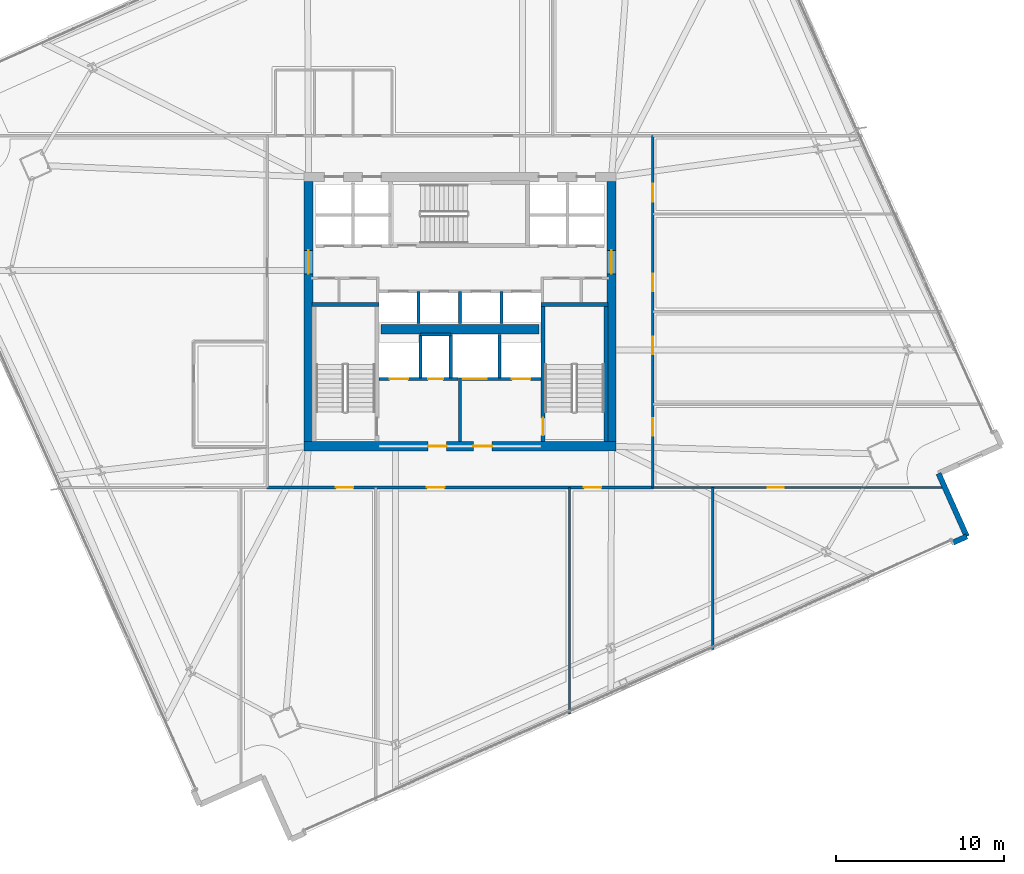
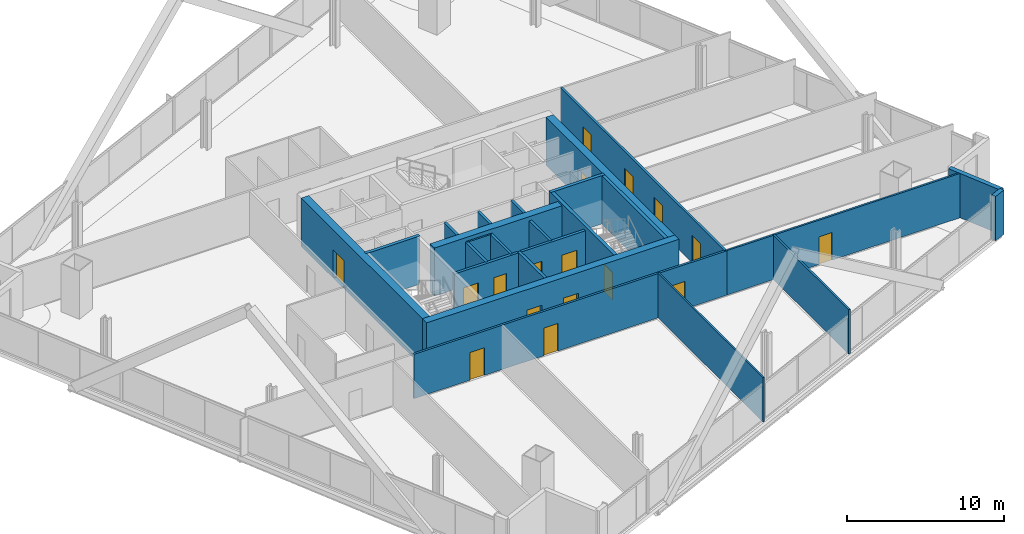
# One storey, part 29 of 38: 25 walls, 17 doors, 17 openings.
"""IFC4 building model written with IfcOpenShell, lengths in metres."""

from ifc_helpers import new_model, si_unit, direction, frame, frame_2d, origin, place, context, subcontext, project, spatial, rectangle, extrude, material, layer, layer_set, type_object, element, fill, save


model = new_model("IFC4")

# Units and contexts
model_context = context("Model", 3, precision=1e-05, world=origin(), true_north=direction((0.0, 1.0)))
body_context = subcontext(model_context, "Body", "Model", "MODEL_VIEW")
ifc_project = project(units=[si_unit("LENGTHUNIT", "METRE"), si_unit("AREAUNIT", "SQUARE_METRE"), si_unit("VOLUMEUNIT", "CUBIC_METRE"), si_unit("PLANEANGLEUNIT", "RADIAN"), si_unit("MASSUNIT", "GRAM", prefix="KILO")], contexts=[model_context])

# Site, building, storey
site_placement = place(None, origin())
site = spatial("IfcSite", under=ifc_project, at=site_placement, CompositionType="ELEMENT")
building_placement = place(site_placement, origin())
building = spatial("IfcBuilding", under=site, at=building_placement, Name="Haldenkirk Collegiate Tower", CompositionType="ELEMENT")
storey_placement = place(building_placement, frame((0.0, 0.0, 109.199951171875)))
storey = spatial("IfcBuildingStorey", under=building, at=storey_placement, Name="L26", CompositionType="ELEMENT", Elevation=109.199951171875)

# Wall, openings, doors
ifc_material_1 = material(Name="Concrete f'c 70 MPa", Category="concrete")
ifc_layer_1 = layer(ifc_material_1, 0.550048828125)
ifc_layer_set_1 = layer_set([ifc_layer_1], Name="Concrete f'c 70 MPa")
wall_type_1 = type_object("IfcWallType", Name="WL-CORE-550", PredefinedType="SHEAR", material=ifc_layer_set_1)
wall_1_placement = place(storey_placement, frame((26.72509765625, 18.0, 0.0), z_axis=(0.0, 0.0, 1.0), x_axis=(1.0, 0.0, 0.0)))
wall_1 = element("IfcWall", 1, at=wall_1_placement, inside=storey, type_object=wall_type_1, Name="L26 central core shear wall S", PredefinedType="SHEAR", context=body_context, shape_type="SweptSolid", body=[
    extrude(rectangle(XDim=18.5498046875, YDim=0.550048828125, at=frame_2d((9.27490234375, 0.0))), origin(), (0.0, 0.0, 1.0), 3.75),
])
opening_1_placement = place(wall_1_placement, frame((7.375, 0.0, 0.0)))
opening_1 = element("IfcOpeningElement", 2, at=opening_1_placement, cuts=wall_1, Name="Opening D-02", PredefinedType="OPENING", context=body_context, shape_type="SweptSolid", body=[
    extrude(rectangle(XDim=1.10009765625, YDim=2.14990234375, at=frame_2d((0.550048828125, 1.074951171875))), frame((0.0, 0.284912109375, 0.0), z_axis=(0.0, -1.0, 0.0), x_axis=(1.0, 0.0, 0.0)), (0.0, 0.0, 1.0), 0.570068359375),
])
opening_2_placement = place(wall_1_placement, frame((10.074951171875, 0.0, 0.0)))
opening_2 = element("IfcOpeningElement", 3, at=opening_2_placement, cuts=wall_1, Name="Opening D-02", PredefinedType="OPENING", context=body_context, shape_type="SweptSolid", body=[
    extrude(rectangle(XDim=1.10009765625, YDim=2.14990234375, at=frame_2d((0.550048828125, 1.074951171875))), frame((0.0, 0.284912109375, 0.0), z_axis=(0.0, -1.0, 0.0), x_axis=(1.0, 0.0, 0.0)), (0.0, 0.0, 1.0), 0.570068359375),
])
ifc_material_2 = material(Name="Galvanized fire-rated hollow steel door", Category="steel")
ifc_layer_2 = layer(ifc_material_2, 0.06005859375)
ifc_layer_set_2 = layer_set([ifc_layer_2], Name="Galvanized fire-rated hollow steel door")
door_type_1 = type_object("IfcDoorType", Name="DR-STAIR-FD90-1100", OperationType="NOTDEFINED", PredefinedType="DOOR", material=ifc_layer_set_2)
door_1_placement = place(opening_1_placement, origin())
door_1 = element("IfcDoor", 4, at=door_1_placement, inside=storey, type_object=door_type_1, Name="L26 Firefighting Lobby 1 door", OperationType="SINGLE_SWING_LEFT", OverallHeight=2.14990234375, OverallWidth=1.10009765625, PredefinedType="DOOR", context=body_context, shape_type="SweptSolid", body=[
    extrude(rectangle(XDim=1.10009765625, YDim=2.14990234375, at=frame_2d((0.550048828125, 1.074951171875))), frame((0.0, 0.02490234375, 0.0), z_axis=(0.0, -1.0, 0.0), x_axis=(1.0, 0.0, 0.0)), (0.0, 0.0, 1.0), 0.050048828125),
])
fill(opening_1, door_1)
door_2_placement = place(opening_2_placement, origin())
door_2 = element("IfcDoor", 5, at=door_2_placement, inside=storey, type_object=door_type_1, Name="L26 Firefighting Lobby 2 door", OperationType="SINGLE_SWING_RIGHT", OverallHeight=2.14990234375, OverallWidth=1.10009765625, PredefinedType="DOOR", context=body_context, shape_type="SweptSolid", body=[
    extrude(rectangle(XDim=1.10009765625, YDim=2.14990234375, at=frame_2d((0.550048828125, 1.074951171875))), frame((0.0, 0.02490234375, 0.0), z_axis=(0.0, -1.0, 0.0), x_axis=(1.0, 0.0, 0.0)), (0.0, 0.0, 1.0), 0.050048828125),
])
fill(opening_2, door_2)

# Wall, opening, door
wall_2_placement = place(storey_placement, frame((27.0, 18.27490234375, 0.0), z_axis=(0.0, 0.0, 1.0), x_axis=(0.0, 1.0, 0.0)))
wall_2 = element("IfcWall", 6, at=wall_2_placement, inside=storey, type_object=wall_type_1, Name="L26 central core shear wall W", PredefinedType="SHEAR", context=body_context, shape_type="SweptSolid", body=[
    extrude(rectangle(XDim=15.4501953125, YDim=0.550048828125, at=frame_2d((7.72509765625, 0.0))), origin(), (0.0, 0.0, 1.0), 3.75),
])
opening_3_placement = place(wall_2_placement, frame((9.965087890625, 0.0, 0.0)))
opening_3 = element("IfcOpeningElement", 7, at=opening_3_placement, cuts=wall_2, Name="Opening D-03", PredefinedType="OPENING", context=body_context, shape_type="SweptSolid", body=[
    extrude(rectangle(XDim=1.39990234375, YDim=2.199951171875, at=frame_2d((0.699951171875, 1.10009765625))), frame((0.0, 0.284912109375, 0.0), z_axis=(0.0, -1.0, 0.0), x_axis=(1.0, 0.0, 0.0)), (0.0, 0.0, 1.0), 0.570068359375),
])
ifc_layer_3 = layer(ifc_material_2, 0.06005859375)
ifc_layer_set_3 = layer_set([ifc_layer_3], Name="Galvanized fire-rated hollow steel door")
door_type_2 = type_object("IfcDoorType", Name="DR-LOBBY-FD90-1400", OperationType="NOTDEFINED", PredefinedType="DOOR", material=ifc_layer_set_3)
door_3_placement = place(opening_3_placement, origin())
door_3 = element("IfcDoor", 8, at=door_3_placement, inside=storey, type_object=door_type_2, Name="L26 west lift lobby portal", OperationType="DOUBLE_DOOR_SINGLE_SWING", OverallHeight=2.199951171875, OverallWidth=1.39990234375, PredefinedType="DOOR", context=body_context, shape_type="SweptSolid", body=[
    extrude(rectangle(XDim=1.39990234375, YDim=2.199951171875, at=frame_2d((0.699951171875, 1.10009765625))), frame((0.0, 0.02490234375, 0.0), z_axis=(0.0, -1.0, 0.0), x_axis=(1.0, 0.0, 0.0)), (0.0, 0.0, 1.0), 0.050048828125),
])
fill(opening_3, door_3)

wall_3_placement = place(storey_placement, frame((45.0, 18.27490234375, 0.0), z_axis=(0.0, 0.0, 1.0), x_axis=(0.0, 1.0, 0.0)))
wall_3 = element("IfcWall", 9, at=wall_3_placement, inside=storey, type_object=wall_type_1, Name="L26 central core shear wall E", PredefinedType="SHEAR", context=body_context, shape_type="SweptSolid", body=[
    extrude(rectangle(XDim=15.4501953125, YDim=0.550048828125, at=frame_2d((7.72509765625, 0.0))), origin(), (0.0, 0.0, 1.0), 3.75),
])
opening_4_placement = place(wall_3_placement, frame((9.965087890625, 0.0, 0.0)))
opening_4 = element("IfcOpeningElement", 10, at=opening_4_placement, cuts=wall_3, Name="Opening D-03", PredefinedType="OPENING", context=body_context, shape_type="SweptSolid", body=[
    extrude(rectangle(XDim=1.39990234375, YDim=2.199951171875, at=frame_2d((0.699951171875, 1.10009765625))), frame((0.0, 0.284912109375, 0.0), z_axis=(0.0, -1.0, 0.0), x_axis=(1.0, 0.0, 0.0)), (0.0, 0.0, 1.0), 0.570068359375),
])
door_4_placement = place(opening_4_placement, origin())
door_4 = element("IfcDoor", 11, at=door_4_placement, inside=storey, type_object=door_type_2, Name="L26 east lift lobby portal", OperationType="DOUBLE_DOOR_SINGLE_SWING", OverallHeight=2.199951171875, OverallWidth=1.39990234375, PredefinedType="DOOR", context=body_context, shape_type="SweptSolid", body=[
    extrude(rectangle(XDim=1.39990234375, YDim=2.199951171875, at=frame_2d((0.699951171875, 1.10009765625))), frame((0.0, 0.02490234375, 0.0), z_axis=(0.0, -1.0, 0.0), x_axis=(1.0, 0.0, 0.0)), (0.0, 0.0, 1.0), 0.050048828125),
])
fill(opening_4, door_4)

# Walls
wall_4_placement = place(storey_placement, frame((31.31005859375, 24.949951171875, 0.0), z_axis=(0.0, 0.0, 1.0), x_axis=(1.0, 0.0, 0.0)))
element("IfcWall", 12, at=wall_4_placement, inside=storey, type_object=wall_type_1, Name="L26 central core spine shear wall", PredefinedType="SHEAR", context=body_context, shape_type="SweptSolid", body=[
    extrude(rectangle(XDim=9.3798828125, YDim=0.550048828125, at=frame_2d((4.68994140625, 0.0))), origin(), (0.0, 0.0, 1.0), 3.75),
])
ifc_material_3 = material(Name="Precast concrete f'c 40 MPa", Category="concrete")
ifc_layer_4 = layer(ifc_material_3, 0.320068359375)
ifc_layer_set_4 = layer_set([ifc_layer_4], Name="Precast concrete f'c 40 MPa")
wall_type_2 = type_object("IfcWallType", Name="WL-EXT-TWR-320", PredefinedType="STANDARD", material=ifc_layer_set_4)
wall_5_placement = place(storey_placement, frame((66.09814453125, 12.64501953125, 0.0), z_axis=(0.0, 0.0, 1.0), x_axis=(-0.912509324515, -0.409055904093, 0.0)))
element("IfcWall", 13, at=wall_5_placement, inside=storey, type_object=wall_type_2, Name="L26 precast corner pier SL", PredefinedType="STANDARD", context=body_context, shape_type="SweptSolid", body=[
    extrude(rectangle(XDim=0.900146484375, YDim=0.320068359375, at=frame_2d((0.4501953125, 0.0))), origin(), (0.0, 0.0, 1.0), 3.449951171875),
])
wall_6_placement = place(storey_placement, frame((64.420654296875, 16.38623046875, 0.0), z_axis=(0.0, 0.0, 1.0), x_axis=(0.409136259283, -0.912473298974, 0.0)))
element("IfcWall", 14, at=wall_6_placement, inside=storey, type_object=wall_type_2, Name="L26 bronze precast notch wall 02", PredefinedType="STANDARD", context=body_context, shape_type="SweptSolid", body=[
    extrude(rectangle(XDim=4.10009765625, YDim=0.320068359375, at=frame_2d((2.050048828125, 0.0))), origin(), (0.0, 0.0, 1.0), 3.449951171875),
])

# Wall, openings, doors
ifc_material_4 = material(Name="Acoustic fire-rated gypsum partition", Category="concrete")
ifc_layer_5 = layer(ifc_material_4, 0.159912109375)
ifc_layer_set_5 = layer_set([ifc_layer_5], Name="Acoustic fire-rated gypsum partition")
wall_type_3 = type_object("IfcWallType", Name="WL-INT-CORR-160", PredefinedType="PARTITIONING", material=ifc_layer_set_5)
wall_7_placement = place(storey_placement, frame((24.5, 15.550048828125, 0.0), z_axis=(0.0, 0.0, 1.0), x_axis=(1.0, 0.0, 0.0)))
wall_7 = element("IfcWall", 15, at=wall_7_placement, inside=storey, type_object=wall_type_3, Name="L26 interior partition IW-L26-CS", PredefinedType="PARTITIONING", context=body_context, shape_type="SweptSolid", body=[
    extrude(rectangle(XDim=23.0, YDim=0.159912109375, at=frame_2d((11.5, 0.0))), origin(), (0.0, 0.0, 1.0), 3.449951171875),
])
opening_5_placement = place(wall_7_placement, frame((4.12109375, 0.0, 0.0)))
opening_5 = element("IfcOpeningElement", 16, at=opening_5_placement, cuts=wall_7, Name="Opening D-09", PredefinedType="OPENING", context=body_context, shape_type="SweptSolid", body=[
    extrude(rectangle(XDim=1.050048828125, YDim=2.14990234375, at=frame_2d((0.52490234375, 1.074951171875))), frame((0.0, 0.08984375, 0.0), z_axis=(0.0, -1.0, 0.0), x_axis=(1.0, 0.0, 0.0)), (0.0, 0.0, 1.0), 0.179931640625),
])
opening_6_placement = place(wall_7_placement, frame((9.534912109375, 0.0, 0.0)))
opening_6 = element("IfcOpeningElement", 17, at=opening_6_placement, cuts=wall_7, Name="Opening D-09", PredefinedType="OPENING", context=body_context, shape_type="SweptSolid", body=[
    extrude(rectangle(XDim=1.050048828125, YDim=2.14990234375, at=frame_2d((0.52490234375, 1.074951171875))), frame((0.0, 0.08984375, 0.0), z_axis=(0.0, -1.0, 0.0), x_axis=(1.0, 0.0, 0.0)), (0.0, 0.0, 1.0), 0.179931640625),
])
opening_7_placement = place(wall_7_placement, frame((18.84912109375, 0.0, 0.0)))
opening_7 = element("IfcOpeningElement", 18, at=opening_7_placement, cuts=wall_7, Name="Opening D-09", PredefinedType="OPENING", context=body_context, shape_type="SweptSolid", body=[
    extrude(rectangle(XDim=1.050048828125, YDim=2.14990234375, at=frame_2d((0.52490234375, 1.074951171875))), frame((0.0, 0.08984375, 0.0), z_axis=(0.0, -1.0, 0.0), x_axis=(1.0, 0.0, 0.0)), (0.0, 0.0, 1.0), 0.179931640625),
])
ifc_material_5 = material(Name="Solid-core architectural oak fire door", Category="wood")
ifc_layer_6 = layer(ifc_material_5, 0.06005859375)
ifc_layer_set_6 = layer_set([ifc_layer_6], Name="Solid-core architectural oak fire door")
door_type_3 = type_object("IfcDoorType", Name="DR-INT-FD60-1050", OperationType="NOTDEFINED", PredefinedType="DOOR", material=ifc_layer_set_6)
door_5_placement = place(opening_5_placement, origin())
door_5 = element("IfcDoor", 19, at=door_5_placement, inside=storey, type_object=door_type_3, Name="L26 Computational Design Studio 2 door", OperationType="SINGLE_SWING_RIGHT", OverallHeight=2.14990234375, OverallWidth=1.050048828125, PredefinedType="DOOR", context=body_context, shape_type="SweptSolid", body=[
    extrude(rectangle(XDim=1.050048828125, YDim=2.14990234375, at=frame_2d((0.52490234375, 1.074951171875))), frame((0.0, 0.02490234375, 0.0), z_axis=(0.0, -1.0, 0.0), x_axis=(1.0, 0.0, 0.0)), (0.0, 0.0, 1.0), 0.050048828125),
])
fill(opening_5, door_5)
door_6_placement = place(opening_6_placement, origin())
door_6 = element("IfcDoor", 20, at=door_6_placement, inside=storey, type_object=door_type_3, Name="L26 Robotics Fabrication Lab 3 door", OperationType="SINGLE_SWING_LEFT", OverallHeight=2.14990234375, OverallWidth=1.050048828125, PredefinedType="DOOR", context=body_context, shape_type="SweptSolid", body=[
    extrude(rectangle(XDim=1.050048828125, YDim=2.14990234375, at=frame_2d((0.52490234375, 1.074951171875))), frame((0.0, 0.02490234375, 0.0), z_axis=(0.0, -1.0, 0.0), x_axis=(1.0, 0.0, 0.0)), (0.0, 0.0, 1.0), 0.050048828125),
])
fill(opening_6, door_6)
door_7_placement = place(opening_7_placement, origin())
door_7 = element("IfcDoor", 21, at=door_7_placement, inside=storey, type_object=door_type_3, Name="L26 Environmental Lab 4 door", OperationType="SINGLE_SWING_RIGHT", OverallHeight=2.14990234375, OverallWidth=1.050048828125, PredefinedType="DOOR", context=body_context, shape_type="SweptSolid", body=[
    extrude(rectangle(XDim=1.050048828125, YDim=2.14990234375, at=frame_2d((0.52490234375, 1.074951171875))), frame((0.0, 0.02490234375, 0.0), z_axis=(0.0, -1.0, 0.0), x_axis=(1.0, 0.0, 0.0)), (0.0, 0.0, 1.0), 0.050048828125),
])
fill(opening_7, door_7)

wall_8_placement = place(storey_placement, frame((47.449951171875, 15.550048828125, 0.0), z_axis=(0.0, 0.0, 1.0), x_axis=(0.0, 1.0, 0.0)))
wall_8 = element("IfcWall", 22, at=wall_8_placement, inside=storey, type_object=wall_type_3, Name="L26 interior partition IW-L26-CE", PredefinedType="PARTITIONING", context=body_context, shape_type="SweptSolid", body=[
    extrude(rectangle(XDim=20.89990234375, YDim=0.159912109375, at=frame_2d((10.449951171875, 0.0))), origin(), (0.0, 0.0, 1.0), 3.449951171875),
])
opening_8_placement = place(wall_8_placement, frame((3.06689453125, 0.0, 0.0)))
opening_8 = element("IfcOpeningElement", 23, at=opening_8_placement, cuts=wall_8, Name="Opening D-09", PredefinedType="OPENING", context=body_context, shape_type="SweptSolid", body=[
    extrude(rectangle(XDim=1.050048828125, YDim=2.14990234375, at=frame_2d((0.52490234375, 1.074951171875))), frame((0.0, 0.08984375, 0.0), z_axis=(0.0, -1.0, 0.0), x_axis=(1.0, 0.0, 0.0)), (0.0, 0.0, 1.0), 0.179931640625),
])
opening_9_placement = place(wall_8_placement, frame((7.9150390625, 0.0, 0.0)))
opening_9 = element("IfcOpeningElement", 24, at=opening_9_placement, cuts=wall_8, Name="Opening D-09", PredefinedType="OPENING", context=body_context, shape_type="SweptSolid", body=[
    extrude(rectangle(XDim=1.050048828125, YDim=2.14990234375, at=frame_2d((0.52490234375, 1.074951171875))), frame((0.0, 0.08984375, 0.0), z_axis=(0.0, -1.0, 0.0), x_axis=(1.0, 0.0, 0.0)), (0.0, 0.0, 1.0), 0.179931640625),
])
opening_10_placement = place(wall_8_placement, frame((11.660888671875, 0.0, 0.0)))
opening_10 = element("IfcOpeningElement", 25, at=opening_10_placement, cuts=wall_8, Name="Opening D-09", PredefinedType="OPENING", context=body_context, shape_type="SweptSolid", body=[
    extrude(rectangle(XDim=1.050048828125, YDim=2.14990234375, at=frame_2d((0.52490234375, 1.074951171875))), frame((0.0, 0.08984375, 0.0), z_axis=(0.0, -1.0, 0.0), x_axis=(1.0, 0.0, 0.0)), (0.0, 0.0, 1.0), 0.179931640625),
])
opening_11_placement = place(wall_8_placement, frame((16.987060546875, 0.0, 0.0)))
opening_11 = element("IfcOpeningElement", 26, at=opening_11_placement, cuts=wall_8, Name="Opening D-09", PredefinedType="OPENING", context=body_context, shape_type="SweptSolid", body=[
    extrude(rectangle(XDim=1.050048828125, YDim=2.14990234375, at=frame_2d((0.52490234375, 1.074951171875))), frame((0.0, 0.08984375, 0.0), z_axis=(0.0, -1.0, 0.0), x_axis=(1.0, 0.0, 0.0)), (0.0, 0.0, 1.0), 0.179931640625),
])
door_8_placement = place(opening_8_placement, origin())
door_8 = element("IfcDoor", 27, at=door_8_placement, inside=storey, type_object=door_type_3, Name="L26 Robotics Fabrication Lab 9 door", OperationType="SINGLE_SWING_LEFT", OverallHeight=2.14990234375, OverallWidth=1.050048828125, PredefinedType="DOOR", context=body_context, shape_type="SweptSolid", body=[
    extrude(rectangle(XDim=1.050048828125, YDim=2.14990234375, at=frame_2d((0.52490234375, 1.074951171875))), frame((0.0, 0.02490234375, 0.0), z_axis=(0.0, -1.0, 0.0), x_axis=(1.0, 0.0, 0.0)), (0.0, 0.0, 1.0), 0.050048828125),
])
fill(opening_8, door_8)
door_9_placement = place(opening_9_placement, origin())
door_9 = element("IfcDoor", 28, at=door_9_placement, inside=storey, type_object=door_type_3, Name="L26 Environmental Lab 10 door", OperationType="SINGLE_SWING_RIGHT", OverallHeight=2.14990234375, OverallWidth=1.050048828125, PredefinedType="DOOR", context=body_context, shape_type="SweptSolid", body=[
    extrude(rectangle(XDim=1.050048828125, YDim=2.14990234375, at=frame_2d((0.52490234375, 1.074951171875))), frame((0.0, 0.02490234375, 0.0), z_axis=(0.0, -1.0, 0.0), x_axis=(1.0, 0.0, 0.0)), (0.0, 0.0, 1.0), 0.050048828125),
])
fill(opening_9, door_9)
door_10_placement = place(opening_10_placement, origin())
door_10 = element("IfcDoor", 29, at=door_10_placement, inside=storey, type_object=door_type_3, Name="L26 Optics Research Laboratory 11 door", OperationType="SINGLE_SWING_LEFT", OverallHeight=2.14990234375, OverallWidth=1.050048828125, PredefinedType="DOOR", context=body_context, shape_type="SweptSolid", body=[
    extrude(rectangle(XDim=1.050048828125, YDim=2.14990234375, at=frame_2d((0.52490234375, 1.074951171875))), frame((0.0, 0.02490234375, 0.0), z_axis=(0.0, -1.0, 0.0), x_axis=(1.0, 0.0, 0.0)), (0.0, 0.0, 1.0), 0.050048828125),
])
fill(opening_10, door_10)
door_11_placement = place(opening_11_placement, origin())
door_11 = element("IfcDoor", 30, at=door_11_placement, inside=storey, type_object=door_type_3, Name="L26 Bioengineering Laboratory 12 door", OperationType="SINGLE_SWING_RIGHT", OverallHeight=2.14990234375, OverallWidth=1.050048828125, PredefinedType="DOOR", context=body_context, shape_type="SweptSolid", body=[
    extrude(rectangle(XDim=1.050048828125, YDim=2.14990234375, at=frame_2d((0.52490234375, 1.074951171875))), frame((0.0, 0.02490234375, 0.0), z_axis=(0.0, -1.0, 0.0), x_axis=(1.0, 0.0, 0.0)), (0.0, 0.0, 1.0), 0.050048828125),
])
fill(opening_11, door_11)

# Wall, opening, door
ifc_layer_7 = layer(ifc_material_4, 0.139892578125)
ifc_layer_set_7 = layer_set([ifc_layer_7], Name="Acoustic fire-rated gypsum partition")
wall_type_4 = type_object("IfcWallType", Name="WL-INT-DIV-140", PredefinedType="PARTITIONING", material=ifc_layer_set_7)
wall_9_placement = place(storey_placement, frame((47.449951171875, 15.550048828125, 0.0), z_axis=(0.0, 0.0, 1.0), x_axis=(1.0, 0.0, 0.0)))
wall_9 = element("IfcWall", 31, at=wall_9_placement, inside=storey, type_object=wall_type_4, Name="L26 interior partition IW-L26-BES", PredefinedType="PARTITIONING", context=body_context, shape_type="SweptSolid", body=[
    extrude(rectangle(XDim=17.3017578125, YDim=0.139892578125, at=frame_2d((8.65087890625, 0.0))), origin(), (0.0, 0.0, 1.0), 3.449951171875),
])
opening_12_placement = place(wall_9_placement, frame((6.822021484375, 0.0, 0.0)))
opening_12 = element("IfcOpeningElement", 32, at=opening_12_placement, cuts=wall_9, Name="Opening D-12", PredefinedType="OPENING", context=body_context, shape_type="SweptSolid", body=[
    extrude(rectangle(XDim=0.949951171875, YDim=2.14990234375, at=frame_2d((0.47509765625, 1.074951171875))), frame((0.0, 0.079833984375, 0.0), z_axis=(0.0, -1.0, 0.0), x_axis=(1.0, 0.0, 0.0)), (0.0, 0.0, 1.0), 0.159912109375),
])
ifc_layer_8 = layer(ifc_material_5, 0.06005859375)
ifc_layer_set_8 = layer_set([ifc_layer_8], Name="Solid-core architectural oak fire door")
door_type_4 = type_object("IfcDoorType", Name="DR-INT-STD-950", OperationType="NOTDEFINED", PredefinedType="DOOR", material=ifc_layer_set_8)
door_12_placement = place(opening_12_placement, origin())
door_12 = element("IfcDoor", 33, at=door_12_placement, inside=storey, type_object=door_type_4, Name="L26 Optics Research Laboratory 5 door", OperationType="SINGLE_SWING_LEFT", OverallHeight=2.14990234375, OverallWidth=0.949951171875, PredefinedType="DOOR", context=body_context, shape_type="SweptSolid", body=[
    extrude(rectangle(XDim=0.949951171875, YDim=2.14990234375, at=frame_2d((0.47509765625, 1.074951171875))), frame((0.0, 0.02490234375, 0.0), z_axis=(0.0, -1.0, 0.0), x_axis=(1.0, 0.0, 0.0)), (0.0, 0.0, 1.0), 0.050048828125),
])
fill(opening_12, door_12)

# Walls
wall_10_placement = place(storey_placement, frame((51.0, 5.91943359375, 0.0), z_axis=(0.0, 0.0, 1.0), x_axis=(0.0, 1.0, 0.0)))
element("IfcWall", 34, at=wall_10_placement, inside=storey, type_object=wall_type_4, Name="L26 interior partition IW-L26-RS4", PredefinedType="PARTITIONING", context=body_context, shape_type="SweptSolid", body=[
    extrude(rectangle(XDim=9.630615234375, YDim=0.139892578125, at=frame_2d((4.8154296875, 0.0))), origin(), (0.0, 0.0, 1.0), 3.449951171875),
])
ifc_material_6 = material(Name="Fire-rated gypsum shaftboard assembly", Category="concrete")
ifc_layer_9 = layer(ifc_material_6, 0.179931640625)
ifc_layer_set_9 = layer_set([ifc_layer_9], Name="Fire-rated gypsum shaftboard assembly")
wall_type_5 = type_object("IfcWallType", Name="WL-INT-SHAFT-180", PredefinedType="PARTITIONING", material=ifc_layer_set_9)
for number, where, z_axis, x_axis, name in (
    (35, (33.64990234375, 22.050048828125, 0.0), (0.0, 0.0, 1.0), (0.0, 1.0, 0.0), "L26 interior partition IW-L26-FL1E"),
    (36, (35.449951171875, 22.050048828125, 0.0), (0.0, 0.0, 1.0), (0.0, 1.0, 0.0), "L26 interior partition IW-L26-GL1W"),
):
    element("IfcWall", number, at=place(storey_placement, frame(where, z_axis=z_axis, x_axis=x_axis)), inside=storey, type_object=wall_type_5, Name=name, PredefinedType="PARTITIONING", context=body_context, shape_type="SweptSolid", body=[
        extrude(rectangle(XDim=2.599853515625, YDim=0.179931640625, at=frame_2d((1.2998046875, 0.0))), origin(), (0.0, 0.0, 1.0), 3.449951171875),
    ])
wall_11_placement = place(storey_placement, frame((33.64990234375, 24.64990234375, 0.0), z_axis=(0.0, 0.0, 1.0), x_axis=(1.0, 0.0, 0.0)))
element("IfcWall", 37, at=wall_11_placement, inside=storey, type_object=wall_type_5, Name="L26 interior partition IW-L26-RSRN", PredefinedType="PARTITIONING", context=body_context, shape_type="SweptSolid", body=[
    extrude(rectangle(XDim=1.800048828125, YDim=0.179931640625, at=frame_2d((0.89990234375, 0.0))), origin(), (0.0, 0.0, 1.0), 3.449951171875),
])
wall_12_placement = place(storey_placement, frame((38.35009765625, 22.050048828125, 0.0), z_axis=(0.0, 0.0, 1.0), x_axis=(0.0, 1.0, 0.0)))
element("IfcWall", 38, at=wall_12_placement, inside=storey, type_object=wall_type_5, Name="L26 interior partition IW-L26-GL1E", PredefinedType="PARTITIONING", context=body_context, shape_type="SweptSolid", body=[
    extrude(rectangle(XDim=2.599853515625, YDim=0.179931640625, at=frame_2d((1.2998046875, 0.0))), origin(), (0.0, 0.0, 1.0), 3.449951171875),
])
for number, where, z_axis, x_axis, name in (
    (39, (33.5400390625, 25.300048828125, 0.0), (0.0, 0.0, 1.0), (0.0, 1.0, 0.0), "L26 interior partition IW-L26-PHV1"),
    (40, (36.0, 25.300048828125, 0.0), (0.0, 0.0, 1.0), (0.0, 1.0, 0.0), "L26 interior partition IW-L26-PHV2"),
    (41, (38.4599609375, 25.300048828125, 0.0), (0.0, 0.0, 1.0), (0.0, 1.0, 0.0), "L26 interior partition IW-L26-PHV3"),
):
    element("IfcWall", number, at=place(storey_placement, frame(where, z_axis=z_axis, x_axis=x_axis)), inside=storey, type_object=wall_type_5, Name=name, PredefinedType="PARTITIONING", context=body_context, shape_type="SweptSolid", body=[
        extrude(rectangle(XDim=1.89990234375, YDim=0.179931640625, at=frame_2d((0.949951171875, 0.0))), origin(), (0.0, 0.0, 1.0), 3.449951171875),
    ])
ifc_layer_10 = layer(ifc_material_6, 0.199951171875)
ifc_layer_set_10 = layer_set([ifc_layer_10], Name="Fire-rated gypsum shaftboard assembly")
wall_type_6 = type_object("IfcWallType", Name="WL-INT-SHAFT-200", PredefinedType="PARTITIONING", material=ifc_layer_set_10)
wall_13_placement = place(storey_placement, frame((36.0, 18.280029296875, 0.0), z_axis=(0.0, 0.0, 1.0), x_axis=(0.0, 1.0, 0.0)))
element("IfcWall", 42, at=wall_13_placement, inside=storey, type_object=wall_type_6, Name="L26 interior partition IW-L26-FFLM", PredefinedType="PARTITIONING", context=body_context, shape_type="SweptSolid", body=[
    extrude(rectangle(XDim=3.77001953125, YDim=0.199951171875, at=frame_2d((1.885009765625, 0.0))), origin(), (0.0, 0.0, 1.0), 3.449951171875),
])

# Wall, openings, doors
wall_14_placement = place(storey_placement, frame((31.18994140625, 22.0, 0.0), z_axis=(0.0, 0.0, 1.0), x_axis=(1.0, 0.0, 0.0)))
wall_14 = element("IfcWall", 43, at=wall_14_placement, inside=storey, type_object=wall_type_6, Name="L26 interior partition IW-L26-FFL1N", PredefinedType="PARTITIONING", context=body_context, shape_type="SweptSolid", body=[
    extrude(rectangle(XDim=4.68994140625, YDim=0.199951171875, at=frame_2d((2.344970703125, 0.0))), origin(), (0.0, 0.0, 1.0), 3.449951171875),
])
opening_13_placement = place(wall_14_placement, frame((2.909912109375, 0.0, 0.0)))
opening_13 = element("IfcOpeningElement", 44, at=opening_13_placement, cuts=wall_14, Name="Opening D-06", PredefinedType="OPENING", context=body_context, shape_type="SweptSolid", body=[
    extrude(rectangle(XDim=0.89990234375, YDim=2.14990234375, at=frame_2d((0.449951171875, 1.074951171875))), frame((0.0, 0.10986328125, 0.0), z_axis=(0.0, -1.0, 0.0), x_axis=(1.0, 0.0, 0.0)), (0.0, 0.0, 1.0), 0.219970703125),
])
opening_14_placement = place(wall_14_placement, frame((0.635009765625, 0.0, 0.0)))
opening_14 = element("IfcOpeningElement", 45, at=opening_14_placement, cuts=wall_14, Name="Opening LD-12", PredefinedType="OPENING", context=body_context, shape_type="SweptSolid", body=[
    extrude(rectangle(XDim=1.10009765625, YDim=2.14990234375, at=frame_2d((0.550048828125, 1.074951171875))), frame((0.0, 0.10986328125, 0.0), z_axis=(0.0, -1.0, 0.0), x_axis=(1.0, 0.0, 0.0)), (0.0, 0.0, 1.0), 0.219970703125),
])
ifc_layer_11 = layer(ifc_material_2, 0.06005859375)
ifc_layer_set_11 = layer_set([ifc_layer_11], Name="Galvanized fire-rated hollow steel door")
door_type_5 = type_object("IfcDoorType", Name="DR-INT-FD90-900", OperationType="NOTDEFINED", PredefinedType="DOOR", material=ifc_layer_set_11)
door_13_placement = place(opening_13_placement, origin())
door_13 = element("IfcDoor", 46, at=door_13_placement, inside=storey, type_object=door_type_5, Name="L26 electrical riser door", OperationType="SINGLE_SWING_LEFT", OverallHeight=2.14990234375, OverallWidth=0.89990234375, PredefinedType="DOOR", context=body_context, shape_type="SweptSolid", body=[
    extrude(rectangle(XDim=0.89990234375, YDim=2.14990234375, at=frame_2d((0.449951171875, 1.074951171875))), frame((0.0, 0.02490234375, 0.0), z_axis=(0.0, -1.0, 0.0), x_axis=(1.0, 0.0, 0.0)), (0.0, 0.0, 1.0), 0.050048828125),
])
fill(opening_13, door_13)
ifc_material_7 = material(Name="Brushed architectural stainless steel", Category="steel")
ifc_layer_12 = layer(ifc_material_7, 0.06005859375)
ifc_layer_set_12 = layer_set([ifc_layer_12], Name="Brushed architectural stainless steel")
door_type_6 = type_object("IfcDoorType", Name="LD-FIRE-1100", OperationType="NOTDEFINED", PredefinedType="DOOR", material=ifc_layer_set_12)
door_14_placement = place(opening_14_placement, origin())
door_14 = element("IfcDoor", 47, at=door_14_placement, inside=storey, type_object=door_type_6, Name="L26 Elevator FL1 sliding landing door", OperationType="SLIDING_TO_LEFT", OverallHeight=2.14990234375, OverallWidth=1.10009765625, PredefinedType="DOOR", context=body_context, shape_type="SweptSolid", body=[
    extrude(rectangle(XDim=1.10009765625, YDim=2.14990234375, at=frame_2d((0.550048828125, 1.074951171875))), frame((0.0, 0.02490234375, 0.0), z_axis=(0.0, -1.0, 0.0), x_axis=(1.0, 0.0, 0.0)), (0.0, 0.0, 1.0), 0.050048828125),
])
fill(opening_14, door_14)

wall_15_placement = place(storey_placement, frame((36.1201171875, 22.0, 0.0), z_axis=(0.0, 0.0, 1.0), x_axis=(1.0, 0.0, 0.0)))
wall_15 = element("IfcWall", 48, at=wall_15_placement, inside=storey, type_object=wall_type_6, Name="L26 interior partition IW-L26-FFL2N", PredefinedType="PARTITIONING", context=body_context, shape_type="SweptSolid", body=[
    extrude(rectangle(XDim=4.68994140625, YDim=0.199951171875, at=frame_2d((2.344970703125, 0.0))), origin(), (0.0, 0.0, 1.0), 3.449951171875),
])
opening_15_placement = place(wall_15_placement, frame((2.955078125, 0.0, 0.0)))
opening_15 = element("IfcOpeningElement", 49, at=opening_15_placement, cuts=wall_15, Name="Opening LD-12", PredefinedType="OPENING", context=body_context, shape_type="SweptSolid", body=[
    extrude(rectangle(XDim=1.10009765625, YDim=2.14990234375, at=frame_2d((0.550048828125, 1.074951171875))), frame((0.0, 0.10986328125, 0.0), z_axis=(0.0, -1.0, 0.0), x_axis=(1.0, 0.0, 0.0)), (0.0, 0.0, 1.0), 0.219970703125),
])
opening_16_placement = place(wall_15_placement, frame((0.080078125, 0.0, 0.0)))
opening_16 = element("IfcOpeningElement", 50, at=opening_16_placement, cuts=wall_15, Name="Opening LD-13", PredefinedType="OPENING", context=body_context, shape_type="SweptSolid", body=[
    extrude(rectangle(XDim=1.39990234375, YDim=2.199951171875, at=frame_2d((0.699951171875, 1.10009765625))), frame((0.0, 0.10986328125, 0.0), z_axis=(0.0, -1.0, 0.0), x_axis=(1.0, 0.0, 0.0)), (0.0, 0.0, 1.0), 0.219970703125),
])
door_15_placement = place(opening_15_placement, origin())
door_15 = element("IfcDoor", 51, at=door_15_placement, inside=storey, type_object=door_type_6, Name="L26 Elevator FL2 sliding landing door", OperationType="SLIDING_TO_LEFT", OverallHeight=2.14990234375, OverallWidth=1.10009765625, PredefinedType="DOOR", context=body_context, shape_type="SweptSolid", body=[
    extrude(rectangle(XDim=1.10009765625, YDim=2.14990234375, at=frame_2d((0.550048828125, 1.074951171875))), frame((0.0, 0.02490234375, 0.0), z_axis=(0.0, -1.0, 0.0), x_axis=(1.0, 0.0, 0.0)), (0.0, 0.0, 1.0), 0.050048828125),
])
fill(opening_15, door_15)
ifc_layer_13 = layer(ifc_material_7, 0.06005859375)
ifc_layer_set_13 = layer_set([ifc_layer_13], Name="Brushed architectural stainless steel")
door_type_7 = type_object("IfcDoorType", Name="LD-GOODS-1400", OperationType="NOTDEFINED", PredefinedType="DOOR", material=ifc_layer_set_13)
door_16_placement = place(opening_16_placement, origin())
door_16 = element("IfcDoor", 52, at=door_16_placement, inside=storey, type_object=door_type_7, Name="L26 Elevator GL1 sliding landing door", OperationType="SLIDING_TO_LEFT", OverallHeight=2.199951171875, OverallWidth=1.39990234375, PredefinedType="DOOR", context=body_context, shape_type="SweptSolid", body=[
    extrude(rectangle(XDim=1.39990234375, YDim=2.199951171875, at=frame_2d((0.699951171875, 1.10009765625))), frame((0.0, 0.02490234375, 0.0), z_axis=(0.0, -1.0, 0.0), x_axis=(1.0, 0.0, 0.0)), (0.0, 0.0, 1.0), 0.050048828125),
])
fill(opening_16, door_16)

# Walls
ifc_layer_14 = layer(ifc_material_4, 0.1201171875)
ifc_layer_set_14 = layer_set([ifc_layer_14], Name="Acoustic fire-rated gypsum partition")
wall_type_7 = type_object("IfcWallType", Name="WL-INT-WET-120", PredefinedType="PARTITIONING", material=ifc_layer_set_14)
wall_16_placement = place(storey_placement, frame((42.5, 2.1083984375, 0.0), z_axis=(0.0, 0.0, 1.0), x_axis=(0.0, 1.0, 0.0)))
element("IfcWall", 53, at=wall_16_placement, inside=storey, type_object=wall_type_7, Name="L26 interior partition IW-L26-RS3", PredefinedType="PARTITIONING", context=body_context, shape_type="SweptSolid", body=[
    extrude(rectangle(XDim=13.441650390625, YDim=0.1201171875, at=frame_2d((6.720703125, 0.0))), origin(), (0.0, 0.0, 1.0), 3.449951171875),
])
ifc_material_8 = material(Name="Concrete f'c 55 MPa", Category="concrete")
ifc_layer_15 = layer(ifc_material_8, 0.239990234375)
ifc_layer_set_15 = layer_set([ifc_layer_15], Name="Concrete f'c 55 MPa")
wall_type_8 = type_object("IfcWallType", Name="WL-SHAFT-240", PredefinedType="SHEAR", material=ifc_layer_set_15)
wall_17_placement = place(storey_placement, frame((27.2099609375, 26.419921875, 0.0), z_axis=(0.0, 0.0, 1.0), x_axis=(1.0, 0.0, 0.0)))
element("IfcWall", 54, at=wall_17_placement, inside=storey, type_object=wall_type_8, Name="L26 stair shaft shear wall SW-L26-ST1N", PredefinedType="SHEAR", context=body_context, shape_type="SweptSolid", body=[
    extrude(rectangle(XDim=3.97998046875, YDim=0.239990234375, at=frame_2d((1.989990234375, 0.0))), origin(), (0.0, 0.0, 1.0), 3.75),
])

# Wall, opening, door
wall_18_placement = place(storey_placement, frame((40.929931640625, 18.280029296875, 0.0), z_axis=(0.0, 0.0, 1.0), x_axis=(0.0, 1.0, 0.0)))
wall_18 = element("IfcWall", 55, at=wall_18_placement, inside=storey, type_object=wall_type_8, Name="L26 stair shaft shear wall SW-L26-ST2W", PredefinedType="SHEAR", context=body_context, shape_type="SweptSolid", body=[
    extrude(rectangle(XDim=8.260009765625, YDim=0.239990234375, at=frame_2d((4.1298828125, 0.0))), origin(), (0.0, 0.0, 1.0), 3.75),
])
opening_17_placement = place(wall_18_placement, frame((0.364990234375, 0.0, 0.0)))
opening_17 = element("IfcOpeningElement", 56, at=opening_17_placement, cuts=wall_18, Name="Opening D-01", PredefinedType="OPENING", context=body_context, shape_type="SweptSolid", body=[
    extrude(rectangle(XDim=1.050048828125, YDim=2.14990234375, at=frame_2d((0.52490234375, 1.074951171875))), frame((0.0, 0.1298828125, 0.0), z_axis=(0.0, -1.0, 0.0), x_axis=(1.0, 0.0, 0.0)), (0.0, 0.0, 1.0), 0.260009765625),
])
ifc_layer_16 = layer(ifc_material_2, 0.06005859375)
ifc_layer_set_16 = layer_set([ifc_layer_16], Name="Galvanized fire-rated hollow steel door")
door_type_8 = type_object("IfcDoorType", Name="DR-STAIR-FD90-1050", OperationType="NOTDEFINED", PredefinedType="DOOR", material=ifc_layer_set_16)
door_17_placement = place(opening_17_placement, origin())
door_17 = element("IfcDoor", 57, at=door_17_placement, inside=storey, type_object=door_type_8, Name="L26 Stair 2 door", OperationType="SINGLE_SWING_RIGHT", OverallHeight=2.14990234375, OverallWidth=1.050048828125, PredefinedType="DOOR", context=body_context, shape_type="SweptSolid", body=[
    extrude(rectangle(XDim=1.050048828125, YDim=2.14990234375, at=frame_2d((0.52490234375, 1.074951171875))), frame((0.0, 0.02490234375, 0.0), z_axis=(0.0, -1.0, 0.0), x_axis=(1.0, 0.0, 0.0)), (0.0, 0.0, 1.0), 0.050048828125),
])
fill(opening_17, door_17)

# Walls
wall_19_placement = place(storey_placement, frame((40.81005859375, 26.419921875, 0.0), z_axis=(0.0, 0.0, 1.0), x_axis=(1.0, 0.0, 0.0)))
element("IfcWall", 58, at=wall_19_placement, inside=storey, type_object=wall_type_8, Name="L26 stair shaft shear wall SW-L26-ST2N", PredefinedType="SHEAR", context=body_context, shape_type="SweptSolid", body=[
    extrude(rectangle(XDim=3.97998046875, YDim=0.239990234375, at=frame_2d((1.989990234375, 0.0))), origin(), (0.0, 0.0, 1.0), 3.75),
])
wall_20_placement = place(storey_placement, frame((44.669921875, 18.280029296875, 0.0), z_axis=(0.0, 0.0, 1.0), x_axis=(0.0, 1.0, 0.0)))
element("IfcWall", 59, at=wall_20_placement, inside=storey, type_object=wall_type_8, Name="L26 stair shaft shear wall SW-L26-ST2E", PredefinedType="SHEAR", context=body_context, shape_type="SweptSolid", body=[
    extrude(rectangle(XDim=8.260009765625, YDim=0.239990234375, at=frame_2d((4.1298828125, 0.0))), origin(), (0.0, 0.0, 1.0), 3.75),
])

save(model, "model.ifc")
